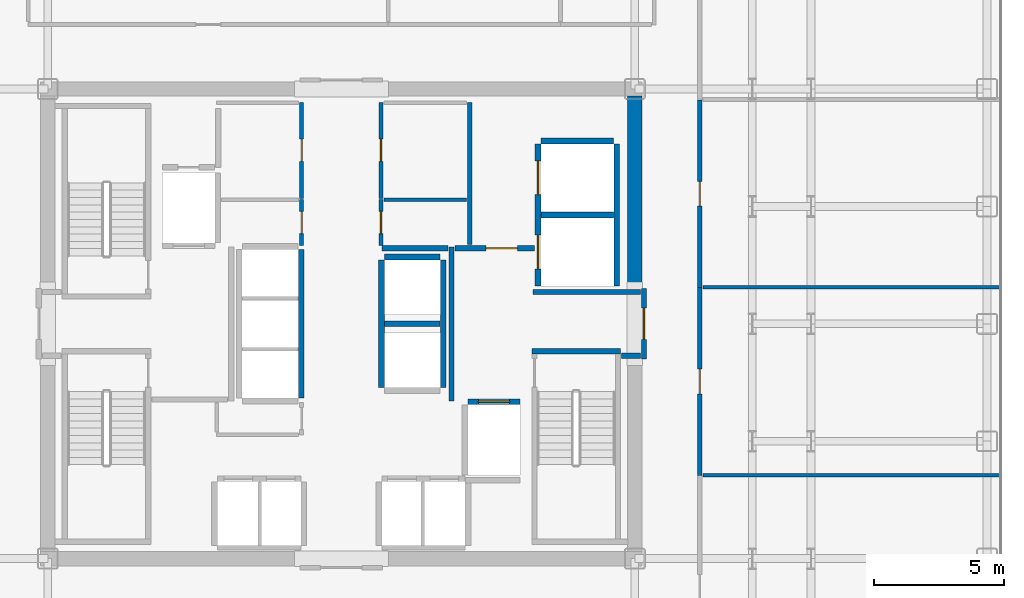
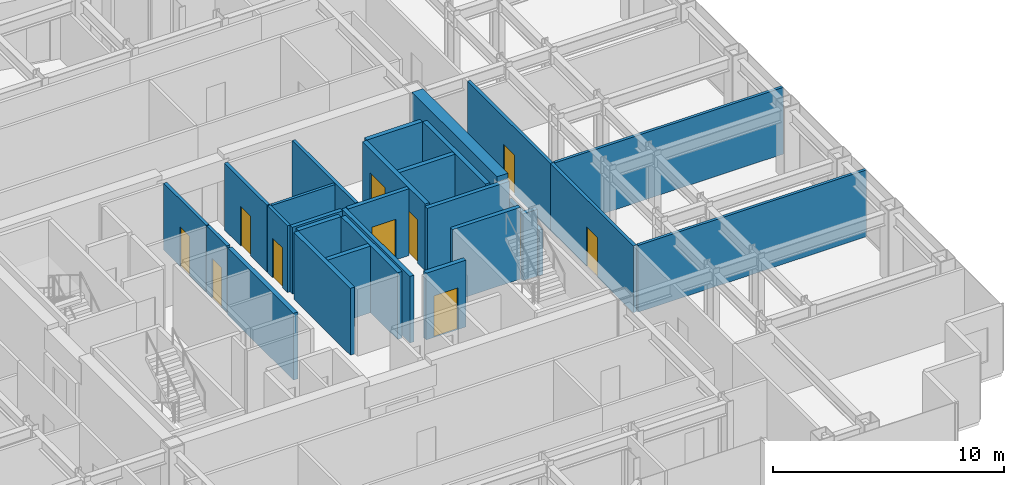
# One storey, part 18 of 22: 28 walls, 11 doors, 11 openings.
"""IFC4 building model written with IfcOpenShell, lengths in metres."""

from ifc_helpers import new_model, si_unit, direction, frame, frame_2d, origin, place, context, subcontext, project, spatial, rectangle, extrude, source, transform, mapped, material, layer, layer_set, type_object, element, fill, save


model = new_model("IFC4")

# Units and contexts
model_context = context("Model", 3, precision=1e-05, world=origin(), true_north=direction((0.0, 1.0)))
body_context = subcontext(model_context, "Body", "Model", "MODEL_VIEW")
ifc_project = project(units=[si_unit("LENGTHUNIT", "METRE"), si_unit("AREAUNIT", "SQUARE_METRE"), si_unit("VOLUMEUNIT", "CUBIC_METRE"), si_unit("PLANEANGLEUNIT", "RADIAN"), si_unit("MASSUNIT", "GRAM", prefix="KILO")], contexts=[model_context])

# Site, building, storey
site_placement = place(None, origin())
site = spatial("IfcSite", under=ifc_project, at=site_placement, CompositionType="ELEMENT")
building_placement = place(site_placement, origin())
building = spatial("IfcBuilding", under=site, at=building_placement, Name="Nefas-Gora Pilgrimage Tower", CompositionType="ELEMENT")
storey_placement = place(building_placement, frame((0.0, 0.0, 186.800048828125)))
storey = spatial("IfcBuildingStorey", under=building, at=storey_placement, Name="L46", CompositionType="ELEMENT", Elevation=186.800048828125)

# Walls
ifc_material_1 = material(Name="Concrete C60/75", Category="concrete")
ifc_layer_1 = layer(ifc_material_1, 0.550048828125)
ifc_layer_set_1 = layer_set([ifc_layer_1], Name="Concrete C60/75")
wall_type_1 = type_object("IfcWallType", Name="SW-CORE-550", PredefinedType="SHEAR", material=ifc_layer_set_1)
shared_shape_1 = source(origin(), body_context, "Body", "SweptSolid", [
    extrude(rectangle(XDim=7.375, YDim=0.550048828125, at=frame_2d((3.6875, 0.0))), origin(), (0.0, 0.0, 1.0), 3.800048828125),
])
wall_1_placement = place(storey_placement, frame((11.25, 1.35009765625, 0.0), z_axis=(0.0, 0.0, 1.0), x_axis=(0.0, 1.0, 0.0)))
element("IfcWall", 1, at=wall_1_placement, inside=storey, type_object=wall_type_1, Name="L46 Core Shear Wall E-North", PredefinedType="SHEAR", context=body_context, shape_type="MappedRepresentation", body=[
    mapped(shared_shape_1, transform((0.0, 0.0, 0.0), x_axis=(1.0, 0.0, 0.0), y_axis=(0.0, 1.0, 0.0), z_axis=(0.0, 0.0, 1.0), scale=1.0)),
])
ifc_material_2 = material(Name="Concrete C45/55", Category="concrete")
ifc_layer_2 = layer(ifc_material_2, 0.199951171875)
ifc_layer_set_2 = layer_set([ifc_layer_2], Name="Concrete C45/55")
wall_type_2 = type_object("IfcWallType", Name="IW-STAIR-200", PredefinedType="SOLIDWALL", material=ifc_layer_set_2)
shared_shape_2 = source(origin(), body_context, "Body", "SweptSolid", [
    extrude(rectangle(XDim=3.39990234375, YDim=0.199951171875, at=frame_2d((1.699951171875, 0.0))), origin(), (0.0, 0.0, 1.0), 3.800048828125),
])
wall_2_placement = place(storey_placement, frame((7.300048828125, -1.050048828125, 0.0), z_axis=(0.0, 0.0, 1.0), x_axis=(1.0, 0.0, 0.0)))
element("IfcWall", 2, at=wall_2_placement, inside=storey, type_object=wall_type_2, Name="L46 Stairwell Shear Wall ST-02-near", PredefinedType="SOLIDWALL", context=body_context, shape_type="MappedRepresentation", body=[
    mapped(shared_shape_2, transform((0.0, 0.0, 0.0), x_axis=(1.0, 0.0, 0.0), y_axis=(0.0, 1.0, 0.0), z_axis=(0.0, 0.0, 1.0), scale=1.0)),
])

# Wall, opening, door
ifc_material_3 = material(Name="Concrete C40/50", Category="concrete")
ifc_layer_3 = layer(ifc_material_3, 0.219970703125)
ifc_layer_set_3 = layer_set([ifc_layer_3], Name="Concrete C40/50")
wall_type_3 = type_object("IfcWallType", Name="IW-SHAFT-220", PredefinedType="SOLIDWALL", material=ifc_layer_set_3)
shared_shape_3 = source(origin(), body_context, "Body", "SweptSolid", [
    extrude(rectangle(XDim=2.0, YDim=0.219970703125, at=frame_2d((1.0, 0.0))), origin(), (0.0, 0.0, 1.0), 3.534912109375),
])
wall_3_placement = place(storey_placement, frame((6.85009765625, -2.989990234375, 0.0), z_axis=(0.0, 0.0, 1.0), x_axis=(-1.0, 0.0, 0.0)))
wall_3 = element("IfcWall", 3, at=wall_3_placement, inside=storey, type_object=wall_type_3, Name="L46 Hoistway Wall FFL-02-N", PredefinedType="SOLIDWALL", context=body_context, shape_type="MappedRepresentation", body=[
    mapped(shared_shape_3, transform((0.0, 0.0, 0.0), x_axis=(1.0, 0.0, 0.0), y_axis=(0.0, 1.0, 0.0), z_axis=(0.0, 0.0, 1.0), scale=1.0)),
])
opening_1_placement = place(wall_3_placement, frame((0.39990234375, 0.0, 0.0)))
opening_1 = element("IfcOpeningElement", 4, at=opening_1_placement, cuts=wall_3, Name="Opening LD-FF", PredefinedType="OPENING", context=body_context, shape_type="SweptSolid", body=[
    extrude(rectangle(XDim=1.199951171875, YDim=2.199951171875, at=frame_2d((0.60009765625, 1.10009765625))), frame((0.0, 0.119873046875, 0.0), z_axis=(0.0, -1.0, 0.0), x_axis=(1.0, 0.0, 0.0)), (0.0, 0.0, 1.0), 0.239990234375),
])
ifc_material_4 = material(Name="Fire-service sliding lift landing door")
door_type_1 = type_object("IfcDoorType", Name="DR-LIFT-FSAE-1200", OperationType="SLIDING_TO_LEFT", PredefinedType="DOOR", material=ifc_material_4)
shared_shape_4 = source(origin(), body_context, "Body", "SweptSolid", [
    extrude(rectangle(XDim=1.199951171875, YDim=2.199951171875, at=frame_2d((0.60009765625, 1.10009765625))), frame((0.0, 0.02490234375, 0.0), z_axis=(0.0, -1.0, 0.0), x_axis=(1.0, 0.0, 0.0)), (0.0, 0.0, 1.0), 0.050048828125),
])
door_1_placement = place(opening_1_placement, origin())
door_1 = element("IfcDoor", 5, at=door_1_placement, inside=storey, type_object=door_type_1, Name="L46 Sliding Lift Landing Door FFL-02", OperationType="SLIDING_TO_LEFT", OverallHeight=2.199951171875, OverallWidth=1.199951171875, PredefinedType="DOOR", context=body_context, shape_type="MappedRepresentation", body=[
    mapped(shared_shape_4, transform((0.0, 0.0, 0.0), x_axis=(1.0, 0.0, 0.0), y_axis=(0.0, 1.0, 0.0), z_axis=(0.0, 0.0, 1.0), scale=1.0)),
])
fill(opening_1, door_1)

# Wall, openings, doors
shared_shape_5 = source(origin(), body_context, "Body", "SweptSolid", [
    extrude(rectangle(XDim=5.449951171875, YDim=0.219970703125, at=frame_2d((2.72509765625, 0.0))), origin(), (0.0, 0.0, 1.0), 3.534912109375),
])
wall_4_placement = place(storey_placement, frame((7.5400390625, 6.89990234375, 0.0), z_axis=(0.0, 0.0, 1.0), x_axis=(0.0, -1.0, 0.0)))
wall_4 = element("IfcWall", 6, at=wall_4_placement, inside=storey, type_object=wall_type_3, Name="L46 Hoistway Wall SL-01-02-W", PredefinedType="SOLIDWALL", context=body_context, shape_type="MappedRepresentation", body=[
    mapped(shared_shape_5, transform((0.0, 0.0, 0.0), x_axis=(1.0, 0.0, 0.0), y_axis=(0.0, 1.0, 0.0), z_axis=(0.0, 0.0, 1.0), scale=1.0)),
])
opening_2_placement = place(wall_4_placement, frame((3.5, 0.0, 0.0)))
opening_2 = element("IfcOpeningElement", 7, at=opening_2_placement, cuts=wall_4, Name="Opening LD-SV", PredefinedType="OPENING", context=body_context, shape_type="SweptSolid", body=[
    extrude(rectangle(XDim=1.300048828125, YDim=2.300048828125, at=frame_2d((0.64990234375, 1.14990234375))), frame((0.0, 0.119873046875, 0.0), z_axis=(0.0, -1.0, 0.0), x_axis=(1.0, 0.0, 0.0)), (0.0, 0.0, 1.0), 0.239990234375),
])
opening_3_placement = place(wall_4_placement, frame((0.64990234375, 0.0, 0.0)))
opening_3 = element("IfcOpeningElement", 8, at=opening_3_placement, cuts=wall_4, Name="Opening LD-SV", PredefinedType="OPENING", context=body_context, shape_type="SweptSolid", body=[
    extrude(rectangle(XDim=1.300048828125, YDim=2.300048828125, at=frame_2d((0.64990234375, 1.14990234375))), frame((0.0, 0.119873046875, 0.0), z_axis=(0.0, -1.0, 0.0), x_axis=(1.0, 0.0, 0.0)), (0.0, 0.0, 1.0), 0.239990234375),
])
ifc_material_5 = material(Name="Heavy goods sliding lift landing door")
door_type_2 = type_object("IfcDoorType", Name="DR-LIFT-SERV-1300", OperationType="SLIDING_TO_RIGHT", PredefinedType="DOOR", material=ifc_material_5)
shared_shape_6 = source(origin(), body_context, "Body", "SweptSolid", [
    extrude(rectangle(XDim=1.300048828125, YDim=2.300048828125, at=frame_2d((0.64990234375, 1.14990234375))), frame((0.0, 0.02490234375, 0.0), z_axis=(0.0, -1.0, 0.0), x_axis=(1.0, 0.0, 0.0)), (0.0, 0.0, 1.0), 0.050048828125),
])
door_2_placement = place(opening_2_placement, origin())
door_2 = element("IfcDoor", 9, at=door_2_placement, inside=storey, type_object=door_type_2, Name="L46 Sliding Lift Landing Door SL-01", OperationType="SLIDING_TO_RIGHT", OverallHeight=2.300048828125, OverallWidth=1.300048828125, PredefinedType="DOOR", context=body_context, shape_type="MappedRepresentation", body=[
    mapped(shared_shape_6, transform((0.0, 0.0, 0.0), x_axis=(1.0, 0.0, 0.0), y_axis=(0.0, 1.0, 0.0), z_axis=(0.0, 0.0, 1.0), scale=1.0)),
])
fill(opening_2, door_2)
door_3_placement = place(opening_3_placement, origin())
door_3 = element("IfcDoor", 10, at=door_3_placement, inside=storey, type_object=door_type_2, Name="L46 Sliding Lift Landing Door SL-02", OperationType="SLIDING_TO_RIGHT", OverallHeight=2.300048828125, OverallWidth=1.300048828125, PredefinedType="DOOR", context=body_context, shape_type="MappedRepresentation", body=[
    mapped(shared_shape_6, transform((0.0, 0.0, 0.0), x_axis=(1.0, 0.0, 0.0), y_axis=(0.0, 1.0, 0.0), z_axis=(0.0, 0.0, 1.0), scale=1.0)),
])
fill(opening_3, door_3)

# Walls
wall_5_placement = place(storey_placement, frame((10.56005859375, 1.449951171875, 0.0), z_axis=(0.0, 0.0, 1.0), x_axis=(0.0, 1.0, 0.0)))
element("IfcWall", 11, at=wall_5_placement, inside=storey, type_object=wall_type_3, Name="L46 Hoistway Wall SL-01-02-E", PredefinedType="SOLIDWALL", context=body_context, shape_type="MappedRepresentation", body=[
    mapped(shared_shape_5, transform((0.0, 0.0, 0.0), x_axis=(1.0, 0.0, 0.0), y_axis=(0.0, 1.0, 0.0), z_axis=(0.0, 0.0, 1.0), scale=1.0)),
])
shared_shape_7 = source(origin(), body_context, "Body", "SweptSolid", [
    extrude(rectangle(XDim=2.780029296875, YDim=0.219970703125, at=frame_2d((1.39013671875, 0.0))), origin(), (0.0, 0.0, 1.0), 3.534912109375),
])
for number, where, z_axis, x_axis, name in (
    (12, (7.659912109375, 4.175048828125, 0.0), (0.0, 0.0, 1.0), (1.0, 0.0, 0.0), "L46 Hoistway Wall SL-01-02-DIV"),
    (13, (10.43994140625, 7.010009765625, 0.0), (0.0, 0.0, 1.0), (-1.0, 0.0, 0.0), "L46 Hoistway Wall SL-02-N"),
):
    element("IfcWall", number, at=place(storey_placement, frame(where, z_axis=z_axis, x_axis=x_axis)), inside=storey, type_object=wall_type_3, Name=name, PredefinedType="SOLIDWALL", context=body_context, shape_type="MappedRepresentation", body=[
        mapped(shared_shape_7, transform((0.0, 0.0, 0.0), x_axis=(1.0, 0.0, 0.0), y_axis=(0.0, 1.0, 0.0), z_axis=(0.0, 0.0, 1.0), scale=1.0)),
    ])
shared_shape_8 = source(origin(), body_context, "Body", "SweptSolid", [
    extrude(rectangle(XDim=5.7001953125, YDim=0.219970703125, at=frame_2d((2.85009765625, 0.0))), origin(), (0.0, 0.0, 1.0), 3.534912109375),
])
wall_6_placement = place(storey_placement, frame((-1.5400390625, -2.85009765625, 0.0), z_axis=(0.0, 0.0, 1.0), x_axis=(0.0, 1.0, 0.0)))
element("IfcWall", 14, at=wall_6_placement, inside=storey, type_object=wall_type_3, Name="L46 Hoistway Wall PL3-01-03-E", PredefinedType="SOLIDWALL", context=body_context, shape_type="MappedRepresentation", body=[
    mapped(shared_shape_8, transform((0.0, 0.0, 0.0), x_axis=(1.0, 0.0, 0.0), y_axis=(0.0, 1.0, 0.0), z_axis=(0.0, 0.0, 1.0), scale=1.0)),
])
shared_shape_9 = source(origin(), body_context, "Body", "SweptSolid", [
    extrude(rectangle(XDim=2.130126953125, YDim=0.219970703125, at=frame_2d((1.06494140625, 0.0))), origin(), (0.0, 0.0, 1.0), 3.534912109375),
])
for number, where, z_axis, x_axis, name in (
    (15, (1.659912109375, 0.0, 0.0), (0.0, 0.0, 1.0), (1.0, 0.0, 0.0), "L46 Hoistway Wall OBS-01-02-DIV"),
    (16, (3.7900390625, 2.56005859375, 0.0), (0.0, 0.0, 1.0), (-1.0, 0.0, 0.0), "L46 Hoistway Wall OBS-02-N"),
):
    element("IfcWall", number, at=place(storey_placement, frame(where, z_axis=z_axis, x_axis=x_axis)), inside=storey, type_object=wall_type_3, Name=name, PredefinedType="SOLIDWALL", context=body_context, shape_type="MappedRepresentation", body=[
        mapped(shared_shape_9, transform((0.0, 0.0, 0.0), x_axis=(1.0, 0.0, 0.0), y_axis=(0.0, 1.0, 0.0), z_axis=(0.0, 0.0, 1.0), scale=1.0)),
    ])
shared_shape_10 = source(origin(), body_context, "Body", "SweptSolid", [
    extrude(rectangle(XDim=4.89990234375, YDim=0.219970703125, at=frame_2d((2.449951171875, 0.0))), origin(), (0.0, 0.0, 1.0), 3.534912109375),
])
for number, where, z_axis, x_axis, name in (
    (17, (1.5400390625, 2.449951171875, 0.0), (0.0, 0.0, 1.0), (0.0, -1.0, 0.0), "L46 Hoistway Wall OBS-01-02-W"),
    (18, (3.909912109375, -2.449951171875, 0.0), (0.0, 0.0, 1.0), (0.0, 1.0, 0.0), "L46 Hoistway Wall OBS-01-02-E"),
):
    element("IfcWall", number, at=place(storey_placement, frame(where, z_axis=z_axis, x_axis=x_axis)), inside=storey, type_object=wall_type_3, Name=name, PredefinedType="SOLIDWALL", context=body_context, shape_type="MappedRepresentation", body=[
        mapped(shared_shape_10, transform((0.0, 0.0, 0.0), x_axis=(1.0, 0.0, 0.0), y_axis=(0.0, 1.0, 0.0), z_axis=(0.0, 0.0, 1.0), scale=1.0)),
    ])

# Wall, opening, door
ifc_material_6 = material(Name="Gypsum fire-rated shaftwall")
ifc_layer_4 = layer(ifc_material_6, 0.199951171875)
ifc_layer_set_4 = layer_set([ifc_layer_4], Name="Gypsum fire-rated shaftwall")
wall_type_4 = type_object("IfcWallType", Name="IW-FFLOB-200", PredefinedType="PARTITIONING", material=ifc_layer_set_4)
shared_shape_11 = source(origin(), body_context, "Body", "SweptSolid", [
    extrude(rectangle(XDim=2.7001953125, YDim=0.199951171875, at=frame_2d((1.35009765625, 0.0))), origin(), (0.0, 0.0, 1.0), 2.425048828125),
])
wall_7_placement = place(storey_placement, frame((11.60009765625, -1.35009765625, 0.0), z_axis=(0.0, 0.0, 1.0), x_axis=(0.0, 1.0, 0.0)))
wall_7 = element("IfcWall", 19, at=wall_7_placement, inside=storey, type_object=wall_type_4, Name="L46 FF Lobby East Portal Wall 9", PredefinedType="PARTITIONING", context=body_context, shape_type="MappedRepresentation", body=[
    mapped(shared_shape_11, transform((0.0, 0.0, 0.0), x_axis=(1.0, 0.0, 0.0), y_axis=(0.0, 1.0, 0.0), z_axis=(0.0, 0.0, 1.0), scale=1.0)),
])
opening_4_placement = place(wall_7_placement, frame((0.75, 0.0, 0.0)))
opening_4 = element("IfcOpeningElement", 20, at=opening_4_placement, cuts=wall_7, Name="Opening ID-FF1", PredefinedType="OPENING", context=body_context, shape_type="SweptSolid", body=[
    extrude(rectangle(XDim=1.199951171875, YDim=2.14990234375, at=frame_2d((0.60009765625, 1.074951171875))), frame((0.0, 0.10986328125, 0.0), z_axis=(0.0, -1.0, 0.0), x_axis=(1.0, 0.0, 0.0)), (0.0, 0.0, 1.0), 0.219970703125),
])
ifc_material_7 = material(Name="Smoke-sealed steel firefighting lobby door", Category="steel")
door_type_3 = type_object("IfcDoorType", Name="DR-INT-FFLOB-1200", OperationType="NOTDEFINED", PredefinedType="DOOR", material=ifc_material_7)
shared_shape_12 = source(origin(), body_context, "Body", "SweptSolid", [
    extrude(rectangle(XDim=1.199951171875, YDim=2.14990234375, at=frame_2d((0.60009765625, 1.074951171875))), frame((0.0, 0.02490234375, 0.0), z_axis=(0.0, -1.0, 0.0), x_axis=(1.0, 0.0, 0.0)), (0.0, 0.0, 1.0), 0.050048828125),
])
door_4_placement = place(opening_4_placement, origin())
door_4 = element("IfcDoor", 21, at=door_4_placement, inside=storey, type_object=door_type_3, Name="L46 FF Lobby East Portal Door 3", OperationType="SINGLE_SWING_RIGHT", OverallHeight=2.14990234375, OverallWidth=1.199951171875, PredefinedType="DOOR", context=body_context, shape_type="MappedRepresentation", body=[
    mapped(shared_shape_12, transform((0.0, 0.0, 0.0), x_axis=(1.0, 0.0, 0.0), y_axis=(0.0, 1.0, 0.0), z_axis=(0.0, 0.0, 1.0), scale=1.0)),
])
fill(opening_4, door_4)

# Walls
shared_shape_13 = source(origin(), body_context, "Body", "SweptSolid", [
    extrude(rectangle(XDim=5.89990234375, YDim=0.199951171875, at=frame_2d((2.949951171875, 0.0))), origin(), (0.0, 0.0, 1.0), 3.534912109375),
])
wall_8_placement = place(storey_placement, frame((4.219970703125, -2.949951171875, 0.0), z_axis=(0.0, 0.0, 1.0), x_axis=(0.0, 1.0, 0.0)))
element("IfcWall", 22, at=wall_8_placement, inside=storey, type_object=wall_type_4, Name="L46 FF Lobby East Inner Wall Wall 10", PredefinedType="PARTITIONING", context=body_context, shape_type="MappedRepresentation", body=[
    mapped(shared_shape_13, transform((0.0, 0.0, 0.0), x_axis=(1.0, 0.0, 0.0), y_axis=(0.0, 1.0, 0.0), z_axis=(0.0, 0.0, 1.0), scale=1.0)),
])
shared_shape_14 = source(origin(), body_context, "Body", "SweptSolid", [
    extrude(rectangle(XDim=0.719970703125, YDim=0.199951171875, at=frame_2d((0.35986328125, 0.0))), origin(), (0.0, 0.0, 1.0), 3.534912109375),
])
wall_9_placement = place(storey_placement, frame((10.739990234375, -1.219970703125, 0.0), z_axis=(0.0, 0.0, 1.0), x_axis=(1.0, 0.0, 0.0)))
element("IfcWall", 23, at=wall_9_placement, inside=storey, type_object=wall_type_4, Name="L46 FF Lobby East Throat S Wall 14", PredefinedType="PARTITIONING", context=body_context, shape_type="MappedRepresentation", body=[
    mapped(shared_shape_14, transform((0.0, 0.0, 0.0), x_axis=(1.0, 0.0, 0.0), y_axis=(0.0, 1.0, 0.0), z_axis=(0.0, 0.0, 1.0), scale=1.0)),
])

# Wall, opening, door
shared_shape_15 = source(origin(), body_context, "Body", "SweptSolid", [
    extrude(rectangle(XDim=3.039794921875, YDim=0.199951171875, at=frame_2d((1.52001953125, 0.0))), origin(), (0.0, 0.0, 1.0), 3.534912109375),
])
wall_10_placement = place(storey_placement, frame((4.360107421875, 2.89990234375, 0.0), z_axis=(0.0, 0.0, 1.0), x_axis=(1.0, 0.0, 0.0)))
wall_10 = element("IfcWall", 24, at=wall_10_placement, inside=storey, type_object=wall_type_4, Name="L46 FF Lobby East North Wall Wall 12", PredefinedType="PARTITIONING", context=body_context, shape_type="MappedRepresentation", body=[
    mapped(shared_shape_15, transform((0.0, 0.0, 0.0), x_axis=(1.0, 0.0, 0.0), y_axis=(0.0, 1.0, 0.0), z_axis=(0.0, 0.0, 1.0), scale=1.0)),
])
opening_5_placement = place(wall_10_placement, frame((1.18994140625, 0.0, 0.0)))
opening_5 = element("IfcOpeningElement", 25, at=opening_5_placement, cuts=wall_10, Name="Opening ID-PL1", PredefinedType="OPENING", context=body_context, shape_type="SweptSolid", body=[
    extrude(rectangle(XDim=1.199951171875, YDim=2.14990234375, at=frame_2d((0.60009765625, 1.074951171875))), frame((0.0, 0.10986328125, 0.0), z_axis=(0.0, -1.0, 0.0), x_axis=(1.0, 0.0, 0.0)), (0.0, 0.0, 1.0), 0.219970703125),
])
ifc_material_8 = material(Name="Heavy-duty steel plant room fire door", Category="steel")
door_type_4 = type_object("IfcDoorType", Name="DR-INT-PLANT-1200", OperationType="NOTDEFINED", PredefinedType="DOOR", material=ifc_material_8)
door_5_placement = place(opening_5_placement, origin())
door_5 = element("IfcDoor", 26, at=door_5_placement, inside=storey, type_object=door_type_4, Name="L46 Service Lift Lobby Door Door 4", OperationType="SINGLE_SWING_LEFT", OverallHeight=2.14990234375, OverallWidth=1.199951171875, PredefinedType="DOOR", context=body_context, shape_type="MappedRepresentation", body=[
    mapped(shared_shape_12, transform((0.0, 0.0, 0.0), x_axis=(1.0, 0.0, 0.0), y_axis=(0.0, 1.0, 0.0), z_axis=(0.0, 0.0, 1.0), scale=1.0)),
])
fill(opening_5, door_5)

# Walls
shared_shape_16 = source(origin(), body_context, "Body", "SweptSolid", [
    extrude(rectangle(XDim=4.10986328125, YDim=0.199951171875, at=frame_2d((2.054931640625, 0.0))), origin(), (0.0, 0.0, 1.0), 3.534912109375),
])
wall_11_placement = place(storey_placement, frame((7.35009765625, 1.219970703125, 0.0), z_axis=(0.0, 0.0, 1.0), x_axis=(1.0, 0.0, 0.0)))
element("IfcWall", 27, at=wall_11_placement, inside=storey, type_object=wall_type_4, Name="L46 FF Lobby East Throat N Wall 13", PredefinedType="PARTITIONING", context=body_context, shape_type="MappedRepresentation", body=[
    mapped(shared_shape_16, transform((0.0, 0.0, 0.0), x_axis=(1.0, 0.0, 0.0), y_axis=(0.0, 1.0, 0.0), z_axis=(0.0, 0.0, 1.0), scale=1.0)),
])
ifc_material_9 = material(Name="Gypsum twin-stud partition")
ifc_layer_5 = layer(ifc_material_9, 0.139892578125)
ifc_layer_set_5 = layer_set([ifc_layer_5], Name="Gypsum twin-stud partition")
wall_type_5 = type_object("IfcWallType", Name="IW-UNIT-140", PredefinedType="PARTITIONING", material=ifc_layer_set_5)
shared_shape_17 = source(origin(), body_context, "Body", "SweptSolid", [
    extrude(rectangle(XDim=3.150146484375, YDim=0.139892578125, at=frame_2d((1.5751953125, 0.0))), origin(), (0.0, 0.0, 1.0), 3.534912109375),
])
wall_12_placement = place(storey_placement, frame((1.639892578125, 4.75, 0.0), z_axis=(0.0, 0.0, 1.0), x_axis=(1.0, 0.0, 0.0)))
element("IfcWall", 28, at=wall_12_placement, inside=storey, type_object=wall_type_5, Name="L46 Clean Blanket and Robe Store Partition Wall 23", PredefinedType="PARTITIONING", context=body_context, shape_type="MappedRepresentation", body=[
    mapped(shared_shape_17, transform((0.0, 0.0, 0.0), x_axis=(1.0, 0.0, 0.0), y_axis=(0.0, 1.0, 0.0), z_axis=(0.0, 0.0, 1.0), scale=1.0)),
])
shared_shape_18 = source(origin(), body_context, "Body", "SweptSolid", [
    extrude(rectangle(XDim=11.429931640625, YDim=0.139892578125, at=frame_2d((5.71484375, 0.0))), origin(), (0.0, 0.0, 1.0), 3.534912109375),
])
for number, where, z_axis, x_axis, name in (
    (29, (13.860107421875, -5.804931640625, 0.0), (0.0, 0.0, 1.0), (1.0, 0.0, 0.0), "L46 Pilgrim Contemplative Lounge Partition Wall 45"),
    (30, (13.860107421875, 1.4013671875, 0.0), (0.0, 0.0, 1.0), (1.0, 0.0, 0.0), "L46 Pilgrim Contemplative Lounge Partition Wall 50"),
):
    element("IfcWall", number, at=place(storey_placement, frame(where, z_axis=z_axis, x_axis=x_axis)), inside=storey, type_object=wall_type_5, Name=name, PredefinedType="PARTITIONING", context=body_context, shape_type="MappedRepresentation", body=[
        mapped(shared_shape_18, transform((0.0, 0.0, 0.0), x_axis=(1.0, 0.0, 0.0), y_axis=(0.0, 1.0, 0.0), z_axis=(0.0, 0.0, 1.0), scale=1.0)),
    ])
shared_shape_19 = source(origin(), body_context, "Body", "SweptSolid", [
    extrude(rectangle(XDim=2.52001953125, YDim=0.199951171875, at=frame_2d((1.260009765625, 0.0))), origin(), (0.0, 0.0, 1.0), 3.534912109375),
])
wall_13_placement = place(storey_placement, frame((1.56005859375, 2.89990234375, 0.0), z_axis=(0.0, 0.0, 1.0), x_axis=(1.0, 0.0, 0.0)))
element("IfcWall", 31, at=wall_13_placement, inside=storey, type_object=wall_type_4, Name="L46 FF Lobby East North Wall Wall 11", PredefinedType="PARTITIONING", context=body_context, shape_type="MappedRepresentation", body=[
    mapped(shared_shape_19, transform((0.0, 0.0, 0.0), x_axis=(1.0, 0.0, 0.0), y_axis=(0.0, 1.0, 0.0), z_axis=(0.0, 0.0, 1.0), scale=1.0)),
])
ifc_material_10 = material(Name="Gypsum acoustic stud partition")
ifc_layer_6 = layer(ifc_material_10, 0.159912109375)
ifc_layer_set_6 = layer_set([ifc_layer_6], Name="Gypsum acoustic stud partition")
wall_type_6 = type_object("IfcWallType", Name="IW-CORR-160", PredefinedType="PARTITIONING", material=ifc_layer_set_6)
shared_shape_20 = source(origin(), body_context, "Body", "SweptSolid", [
    extrude(rectangle(XDim=5.449951171875, YDim=0.159912109375, at=frame_2d((2.72509765625, 0.0))), origin(), (0.0, 0.0, 1.0), 3.534912109375),
])
wall_14_placement = place(storey_placement, frame((4.919921875, 3.0400390625, 0.0), z_axis=(0.0, 0.0, 1.0), x_axis=(0.0, 1.0, 0.0)))
element("IfcWall", 32, at=wall_14_placement, inside=storey, type_object=wall_type_6, Name="L46 Service Lift Lobby West Wall Wall 17", PredefinedType="PARTITIONING", context=body_context, shape_type="MappedRepresentation", body=[
    mapped(shared_shape_20, transform((0.0, 0.0, 0.0), x_axis=(1.0, 0.0, 0.0), y_axis=(0.0, 1.0, 0.0), z_axis=(0.0, 0.0, 1.0), scale=1.0)),
])

# Wall, opening, door
shared_shape_21 = source(origin(), body_context, "Body", "SweptSolid", [
    extrude(rectangle(XDim=1.75, YDim=0.159912109375, at=frame_2d((0.875, 0.0))), origin(), (0.0, 0.0, 1.0), 3.534912109375),
])
wall_15_placement = place(storey_placement, frame((-1.52001953125, 3.010009765625, 0.0), z_axis=(0.0, 0.0, 1.0), x_axis=(0.0, 1.0, 0.0)))
wall_15 = element("IfcWall", 33, at=wall_15_placement, inside=storey, type_object=wall_type_6, Name="L46 Housekeeping and Linen Store Wall 18", PredefinedType="PARTITIONING", context=body_context, shape_type="MappedRepresentation", body=[
    mapped(shared_shape_21, transform((0.0, 0.0, 0.0), x_axis=(1.0, 0.0, 0.0), y_axis=(0.0, 1.0, 0.0), z_axis=(0.0, 0.0, 1.0), scale=1.0)),
])
opening_6_placement = place(wall_15_placement, frame((0.449951171875, 0.0, 0.0)))
opening_6 = element("IfcOpeningElement", 34, at=opening_6_placement, cuts=wall_15, Name="Opening ID-BT1", PredefinedType="OPENING", context=body_context, shape_type="SweptSolid", body=[
    extrude(rectangle(XDim=0.85009765625, YDim=2.10009765625, at=frame_2d((0.425048828125, 1.050048828125))), frame((0.0, 0.08984375, 0.0), z_axis=(0.0, -1.0, 0.0), x_axis=(1.0, 0.0, 0.0)), (0.0, 0.0, 1.0), 0.179931640625),
])
ifc_material_11 = material(Name="Moisture-resistant fire-rated timber door", Category="wood")
door_type_5 = type_object("IfcDoorType", Name="DR-INT-BATH-850", OperationType="NOTDEFINED", PredefinedType="DOOR", material=ifc_material_11)
shared_shape_22 = source(origin(), body_context, "Body", "SweptSolid", [
    extrude(rectangle(XDim=0.85009765625, YDim=2.10009765625, at=frame_2d((0.425048828125, 1.050048828125))), frame((0.0, 0.02490234375, 0.0), z_axis=(0.0, -1.0, 0.0), x_axis=(1.0, 0.0, 0.0)), (0.0, 0.0, 1.0), 0.050048828125),
])
door_6_placement = place(opening_6_placement, origin())
door_6 = element("IfcDoor", 35, at=door_6_placement, inside=storey, type_object=door_type_5, Name="L46 Housekeeping and Linen Store Door 7", OperationType="SINGLE_SWING_RIGHT", OverallHeight=2.10009765625, OverallWidth=0.85009765625, PredefinedType="DOOR", context=body_context, shape_type="MappedRepresentation", body=[
    mapped(shared_shape_22, transform((0.0, 0.0, 0.0), x_axis=(1.0, 0.0, 0.0), y_axis=(0.0, 1.0, 0.0), z_axis=(0.0, 0.0, 1.0), scale=1.0)),
])
fill(opening_6, door_6)

wall_16_placement = place(storey_placement, frame((1.52001953125, 3.010009765625, 0.0), z_axis=(0.0, 0.0, 1.0), x_axis=(0.0, 1.0, 0.0)))
wall_16 = element("IfcWall", 36, at=wall_16_placement, inside=storey, type_object=wall_type_6, Name="L46 Clean Blanket and Robe Store Wall 22", PredefinedType="PARTITIONING", context=body_context, shape_type="MappedRepresentation", body=[
    mapped(shared_shape_21, transform((0.0, 0.0, 0.0), x_axis=(1.0, 0.0, 0.0), y_axis=(0.0, 1.0, 0.0), z_axis=(0.0, 0.0, 1.0), scale=1.0)),
])
opening_7_placement = place(wall_16_placement, frame((0.449951171875, 0.0, 0.0)))
opening_7 = element("IfcOpeningElement", 37, at=opening_7_placement, cuts=wall_16, Name="Opening ID-BT1", PredefinedType="OPENING", context=body_context, shape_type="SweptSolid", body=[
    extrude(rectangle(XDim=0.85009765625, YDim=2.10009765625, at=frame_2d((0.425048828125, 1.050048828125))), frame((0.0, 0.08984375, 0.0), z_axis=(0.0, -1.0, 0.0), x_axis=(1.0, 0.0, 0.0)), (0.0, 0.0, 1.0), 0.179931640625),
])
door_7_placement = place(opening_7_placement, origin())
door_7 = element("IfcDoor", 38, at=door_7_placement, inside=storey, type_object=door_type_5, Name="L46 Clean Blanket and Robe Store Door 9", OperationType="SINGLE_SWING_RIGHT", OverallHeight=2.10009765625, OverallWidth=0.85009765625, PredefinedType="DOOR", context=body_context, shape_type="MappedRepresentation", body=[
    mapped(shared_shape_22, transform((0.0, 0.0, 0.0), x_axis=(1.0, 0.0, 0.0), y_axis=(0.0, 1.0, 0.0), z_axis=(0.0, 0.0, 1.0), scale=1.0)),
])
fill(opening_7, door_7)

shared_shape_23 = source(origin(), body_context, "Body", "SweptSolid", [
    extrude(rectangle(XDim=3.679931640625, YDim=0.159912109375, at=frame_2d((1.83984375, 0.0))), origin(), (0.0, 0.0, 1.0), 3.534912109375),
])
wall_17_placement = place(storey_placement, frame((-1.52001953125, 4.81005859375, 0.0), z_axis=(0.0, 0.0, 1.0), x_axis=(0.0, 1.0, 0.0)))
wall_17 = element("IfcWall", 39, at=wall_17_placement, inside=storey, type_object=wall_type_6, Name="L46 Archival Supply Store Wall 20", PredefinedType="PARTITIONING", context=body_context, shape_type="MappedRepresentation", body=[
    mapped(shared_shape_23, transform((0.0, 0.0, 0.0), x_axis=(1.0, 0.0, 0.0), y_axis=(0.0, 1.0, 0.0), z_axis=(0.0, 0.0, 1.0), scale=1.0)),
])
opening_8_placement = place(wall_17_placement, frame((1.4150390625, 0.0, 0.0)))
opening_8 = element("IfcOpeningElement", 40, at=opening_8_placement, cuts=wall_17, Name="Opening ID-BT1", PredefinedType="OPENING", context=body_context, shape_type="SweptSolid", body=[
    extrude(rectangle(XDim=0.85009765625, YDim=2.10009765625, at=frame_2d((0.425048828125, 1.050048828125))), frame((0.0, 0.08984375, 0.0), z_axis=(0.0, -1.0, 0.0), x_axis=(1.0, 0.0, 0.0)), (0.0, 0.0, 1.0), 0.179931640625),
])
door_8_placement = place(opening_8_placement, origin())
door_8 = element("IfcDoor", 41, at=door_8_placement, inside=storey, type_object=door_type_5, Name="L46 Archival Supply Store Door 8", OperationType="SINGLE_SWING_LEFT", OverallHeight=2.10009765625, OverallWidth=0.85009765625, PredefinedType="DOOR", context=body_context, shape_type="MappedRepresentation", body=[
    mapped(shared_shape_22, transform((0.0, 0.0, 0.0), x_axis=(1.0, 0.0, 0.0), y_axis=(0.0, 1.0, 0.0), z_axis=(0.0, 0.0, 1.0), scale=1.0)),
])
fill(opening_8, door_8)

wall_18_placement = place(storey_placement, frame((1.52001953125, 4.81005859375, 0.0), z_axis=(0.0, 0.0, 1.0), x_axis=(0.0, 1.0, 0.0)))
wall_18 = element("IfcWall", 42, at=wall_18_placement, inside=storey, type_object=wall_type_6, Name="L46 Amenity Supply Store Wall 24", PredefinedType="PARTITIONING", context=body_context, shape_type="MappedRepresentation", body=[
    mapped(shared_shape_23, transform((0.0, 0.0, 0.0), x_axis=(1.0, 0.0, 0.0), y_axis=(0.0, 1.0, 0.0), z_axis=(0.0, 0.0, 1.0), scale=1.0)),
])
opening_9_placement = place(wall_18_placement, frame((1.4150390625, 0.0, 0.0)))
opening_9 = element("IfcOpeningElement", 43, at=opening_9_placement, cuts=wall_18, Name="Opening ID-BT1", PredefinedType="OPENING", context=body_context, shape_type="SweptSolid", body=[
    extrude(rectangle(XDim=0.85009765625, YDim=2.10009765625, at=frame_2d((0.425048828125, 1.050048828125))), frame((0.0, 0.08984375, 0.0), z_axis=(0.0, -1.0, 0.0), x_axis=(1.0, 0.0, 0.0)), (0.0, 0.0, 1.0), 0.179931640625),
])
door_9_placement = place(opening_9_placement, origin())
door_9 = element("IfcDoor", 44, at=door_9_placement, inside=storey, type_object=door_type_5, Name="L46 Amenity Supply Store Door 10", OperationType="SINGLE_SWING_LEFT", OverallHeight=2.10009765625, OverallWidth=0.85009765625, PredefinedType="DOOR", context=body_context, shape_type="MappedRepresentation", body=[
    mapped(shared_shape_22, transform((0.0, 0.0, 0.0), x_axis=(1.0, 0.0, 0.0), y_axis=(0.0, 1.0, 0.0), z_axis=(0.0, 0.0, 1.0), scale=1.0)),
])
fill(opening_9, door_9)

shared_shape_24 = source(origin(), body_context, "Body", "SweptSolid", [
    extrude(rectangle(XDim=7.196044921875, YDim=0.159912109375, at=frame_2d((3.59814453125, 0.0))), origin(), (0.0, 0.0, 1.0), 3.534912109375),
])
wall_19_placement = place(storey_placement, frame((13.739990234375, 1.391357421875, 0.0), z_axis=(0.0, 0.0, 1.0), x_axis=(0.0, 1.0, 0.0)))
wall_19 = element("IfcWall", 45, at=wall_19_placement, inside=storey, type_object=wall_type_6, Name="L46 Pilgrim Contemplative Lounge Partition Wall 49", PredefinedType="PARTITIONING", context=body_context, shape_type="MappedRepresentation", body=[
    mapped(shared_shape_24, transform((0.0, 0.0, 0.0), x_axis=(1.0, 0.0, 0.0), y_axis=(0.0, 1.0, 0.0), z_axis=(0.0, 0.0, 1.0), scale=1.0)),
])
opening_10_placement = place(wall_19_placement, frame((3.123046875, 0.0, 0.0)))
opening_10 = element("IfcOpeningElement", 46, at=opening_10_placement, cuts=wall_19, Name="Opening ID-GR1", PredefinedType="OPENING", context=body_context, shape_type="SweptSolid", body=[
    extrude(rectangle(XDim=0.949951171875, YDim=2.10009765625, at=frame_2d((0.47509765625, 1.050048828125))), frame((0.0, 0.08984375, 0.0), z_axis=(0.0, -1.0, 0.0), x_axis=(1.0, 0.0, 0.0)), (0.0, 0.0, 1.0), 0.179931640625),
])
ifc_material_12 = material(Name="Solid core oak fire-rated guest entrance door")
door_type_6 = type_object("IfcDoorType", Name="DR-INT-GUEST-950", OperationType="NOTDEFINED", PredefinedType="DOOR", material=ifc_material_12)
shared_shape_25 = source(origin(), body_context, "Body", "SweptSolid", [
    extrude(rectangle(XDim=0.949951171875, YDim=2.10009765625, at=frame_2d((0.47509765625, 1.050048828125))), frame((0.0, 0.02490234375, 0.0), z_axis=(0.0, -1.0, 0.0), x_axis=(1.0, 0.0, 0.0)), (0.0, 0.0, 1.0), 0.050048828125),
])
door_10_placement = place(opening_10_placement, origin())
door_10 = element("IfcDoor", 47, at=door_10_placement, inside=storey, type_object=door_type_6, Name="L46 Pilgrim Contemplative Lounge Door 22", OperationType="SINGLE_SWING_LEFT", OverallHeight=2.10009765625, OverallWidth=0.949951171875, PredefinedType="DOOR", context=body_context, shape_type="MappedRepresentation", body=[
    mapped(shared_shape_25, transform((0.0, 0.0, 0.0), x_axis=(1.0, 0.0, 0.0), y_axis=(0.0, 1.0, 0.0), z_axis=(0.0, 0.0, 1.0), scale=1.0)),
])
fill(opening_10, door_10)

shared_shape_26 = source(origin(), body_context, "Body", "SweptSolid", [
    extrude(rectangle(XDim=7.1962890625, YDim=0.159912109375, at=frame_2d((3.59814453125, 0.0))), origin(), (0.0, 0.0, 1.0), 3.534912109375),
])
wall_20_placement = place(storey_placement, frame((13.739990234375, -5.804931640625, 0.0), z_axis=(0.0, 0.0, 1.0), x_axis=(0.0, 1.0, 0.0)))
wall_20 = element("IfcWall", 48, at=wall_20_placement, inside=storey, type_object=wall_type_6, Name="L46 Pilgrim Contemplative Lounge Partition Wall 51", PredefinedType="PARTITIONING", context=body_context, shape_type="MappedRepresentation", body=[
    mapped(shared_shape_26, transform((0.0, 0.0, 0.0), x_axis=(1.0, 0.0, 0.0), y_axis=(0.0, 1.0, 0.0), z_axis=(0.0, 0.0, 1.0), scale=1.0)),
])
opening_11_placement = place(wall_20_placement, frame((3.123046875, 0.0, 0.0)))
opening_11 = element("IfcOpeningElement", 49, at=opening_11_placement, cuts=wall_20, Name="Opening ID-GR1", PredefinedType="OPENING", context=body_context, shape_type="SweptSolid", body=[
    extrude(rectangle(XDim=0.949951171875, YDim=2.10009765625, at=frame_2d((0.47509765625, 1.050048828125))), frame((0.0, 0.08984375, 0.0), z_axis=(0.0, -1.0, 0.0), x_axis=(1.0, 0.0, 0.0)), (0.0, 0.0, 1.0), 0.179931640625),
])
door_11_placement = place(opening_11_placement, origin())
door_11 = element("IfcDoor", 50, at=door_11_placement, inside=storey, type_object=door_type_6, Name="L46 Pilgrim Contemplative Lounge Door 23", OperationType="SINGLE_SWING_RIGHT", OverallHeight=2.10009765625, OverallWidth=0.949951171875, PredefinedType="DOOR", context=body_context, shape_type="MappedRepresentation", body=[
    mapped(shared_shape_25, transform((0.0, 0.0, 0.0), x_axis=(1.0, 0.0, 0.0), y_axis=(0.0, 1.0, 0.0), z_axis=(0.0, 0.0, 1.0), scale=1.0)),
])
fill(opening_11, door_11)

save(model, "model.ifc")
